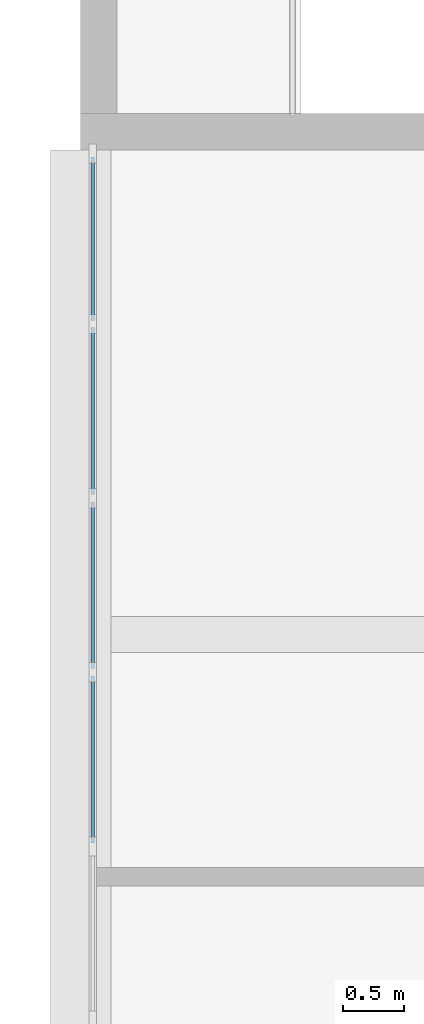
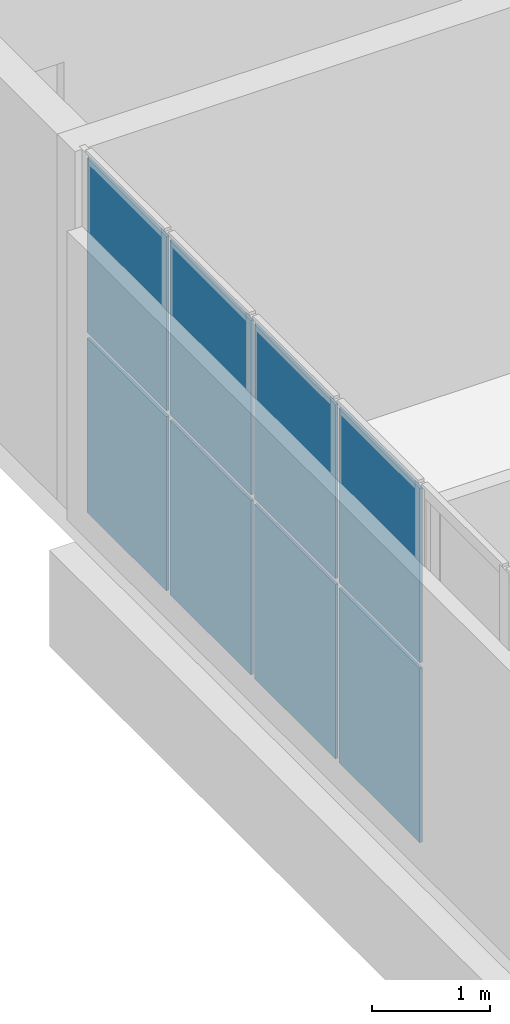
# One storey, part 136 of 156: 8 plates, 1 element without a shape of its own.
"""IFC4 building model written with IfcOpenShell, lengths in metres."""

from ifc_helpers import new_model, si_unit, direction, frame, origin, origin_2d, place, context, subcontext, project, spatial, rectangle, extrude, material, layer, layer_set, type_object, element, aggregate, save


model = new_model("IFC4")

# Units and contexts
model_context = context("Model", 3, precision=1e-05, world=origin(), true_north=direction((0.0, 1.0)))
body_context = subcontext(model_context, "Body", "Model", "MODEL_VIEW")
ifc_project = project(units=[si_unit("LENGTHUNIT", "METRE"), si_unit("AREAUNIT", "SQUARE_METRE"), si_unit("VOLUMEUNIT", "CUBIC_METRE"), si_unit("PLANEANGLEUNIT", "RADIAN"), si_unit("MASSUNIT", "GRAM", prefix="KILO")], contexts=[model_context])

# Site, building, storey
site_placement = place(None, origin())
site = spatial("IfcSite", under=ifc_project, at=site_placement, CompositionType="ELEMENT")
building_placement = place(site_placement, origin())
building = spatial("IfcBuilding", under=site, at=building_placement, Name="Lilac Gate Convention Centre", CompositionType="ELEMENT")
storey_placement = place(building_placement, frame((0.0, 0.0, 17.0)))
storey = spatial("IfcBuildingStorey", under=building, at=storey_placement, Name="L03", CompositionType="ELEMENT", Elevation=17.0)

# Curtain wall, plates
ifc_material_1 = material(Name="Aluminium framed double glazing", Category="aluminium")
ifc_layer_1 = layer(ifc_material_1, 0.199951171875)
ifc_layer_set_1 = layer_set([ifc_layer_1], Name="Aluminium framed double glazing")
curtain_wall_type = type_object("IfcCurtainWallType", Name="Unitised curtain wall 1500", PredefinedType="NOTDEFINED", material=ifc_layer_set_1)
curtain_wall_placement = place(storey_placement, origin())
curtain_wall = element("IfcCurtainWall", 1, at=curtain_wall_placement, inside=storey, type_object=curtain_wall_type, Name="Curtain wall PW L03 5", PredefinedType="NOTDEFINED")
ifc_material_2 = material(Name="Double glazed unit low emissivity")
ifc_layer_2 = layer(ifc_material_2, 0.028076171875)
ifc_layer_set_2 = layer_set([ifc_layer_2], Name="Double glazed unit low emissivity")
plate_type_1 = type_object("IfcPlateType", Name="Curtain wall glass panel 28", PredefinedType="CURTAIN_PANEL", material=ifc_layer_set_2)
plate_1_placement = place(storey_placement, frame((6.10009765625, 149.266357421875, 1.929931640625), z_axis=(0.0, 0.0, 1.0), x_axis=(0.0, -1.0, 0.0)))
plate_1 = element("IfcPlate", 2, at=plate_1_placement, type_object=plate_type_1, Name="CW panel 1.2", PredefinedType="CURTAIN_PANEL", context=body_context, shape_type="SweptSolid", body=[
    extrude(rectangle(XDim=1.347412109375, YDim=0.028076171875, at=origin_2d()), origin(), (0.0, 0.0, 1.0), 1.81005859375),
])
plate_2_placement = place(storey_placement, frame((6.10009765625, 147.84375, 1.929931640625), z_axis=(0.0, 0.0, 1.0), x_axis=(0.0, -1.0, 0.0)))
plate_2 = element("IfcPlate", 3, at=plate_2_placement, type_object=plate_type_1, Name="CW panel 2.2", PredefinedType="CURTAIN_PANEL", context=body_context, shape_type="SweptSolid", body=[
    extrude(rectangle(XDim=1.37744140625, YDim=0.028076171875, at=origin_2d()), origin(), (0.0, 0.0, 1.0), 1.81005859375),
])
plate_3_placement = place(storey_placement, frame((6.10009765625, 146.40625, 1.929931640625), z_axis=(0.0, 0.0, 1.0), x_axis=(0.0, -1.0, 0.0)))
plate_3 = element("IfcPlate", 4, at=plate_3_placement, type_object=plate_type_1, Name="CW panel 3.2", PredefinedType="CURTAIN_PANEL", context=body_context, shape_type="SweptSolid", body=[
    extrude(rectangle(XDim=1.37744140625, YDim=0.028076171875, at=origin_2d()), origin(), (0.0, 0.0, 1.0), 1.81005859375),
])
plate_4_placement = place(storey_placement, frame((6.10009765625, 144.96875, 1.929931640625), z_axis=(0.0, 0.0, 1.0), x_axis=(0.0, -1.0, 0.0)))
plate_4 = element("IfcPlate", 5, at=plate_4_placement, type_object=plate_type_1, Name="CW panel 4.2", PredefinedType="CURTAIN_PANEL", context=body_context, shape_type="SweptSolid", body=[
    extrude(rectangle(XDim=1.37744140625, YDim=0.028076171875, at=origin_2d()), origin(), (0.0, 0.0, 1.0), 1.81005859375),
])
ifc_material_3 = material(Name="Insulated aluminium spandrel panel", Category="aluminium")
ifc_layer_3 = layer(ifc_material_3, 0.028076171875)
ifc_layer_set_3 = layer_set([ifc_layer_3], Name="Insulated aluminium spandrel panel")
plate_type_2 = type_object("IfcPlateType", Name="Curtain wall spandrel panel 28", PredefinedType="CURTAIN_PANEL", material=ifc_layer_set_3)
plate_5_placement = place(storey_placement, frame((6.10009765625, 149.266357421875, 0.06005859375), z_axis=(0.0, 0.0, 1.0), x_axis=(0.0, -1.0, 0.0)))
plate_5 = element("IfcPlate", 6, at=plate_5_placement, type_object=plate_type_2, Name="CW spandrel 1.1", PredefinedType="CURTAIN_PANEL", context=body_context, shape_type="SweptSolid", body=[
    extrude(rectangle(XDim=1.347412109375, YDim=0.028076171875, at=origin_2d()), origin(), (0.0, 0.0, 1.0), 1.81005859375),
])
plate_6_placement = place(storey_placement, frame((6.10009765625, 147.84375, 0.06005859375), z_axis=(0.0, 0.0, 1.0), x_axis=(0.0, -1.0, 0.0)))
plate_6 = element("IfcPlate", 7, at=plate_6_placement, type_object=plate_type_2, Name="CW spandrel 2.1", PredefinedType="CURTAIN_PANEL", context=body_context, shape_type="SweptSolid", body=[
    extrude(rectangle(XDim=1.37744140625, YDim=0.028076171875, at=origin_2d()), origin(), (0.0, 0.0, 1.0), 1.81005859375),
])
plate_7_placement = place(storey_placement, frame((6.10009765625, 146.40625, 0.06005859375), z_axis=(0.0, 0.0, 1.0), x_axis=(0.0, -1.0, 0.0)))
plate_7 = element("IfcPlate", 8, at=plate_7_placement, type_object=plate_type_2, Name="CW spandrel 3.1", PredefinedType="CURTAIN_PANEL", context=body_context, shape_type="SweptSolid", body=[
    extrude(rectangle(XDim=1.37744140625, YDim=0.028076171875, at=origin_2d()), origin(), (0.0, 0.0, 1.0), 1.81005859375),
])
plate_8_placement = place(storey_placement, frame((6.10009765625, 144.96875, 0.06005859375), z_axis=(0.0, 0.0, 1.0), x_axis=(0.0, -1.0, 0.0)))
plate_8 = element("IfcPlate", 9, at=plate_8_placement, type_object=plate_type_2, Name="CW spandrel 4.1", PredefinedType="CURTAIN_PANEL", context=body_context, shape_type="SweptSolid", body=[
    extrude(rectangle(XDim=1.37744140625, YDim=0.028076171875, at=origin_2d()), origin(), (0.0, 0.0, 1.0), 1.81005859375),
])
aggregate(curtain_wall, [plate_5, plate_1, plate_6, plate_2, plate_7, plate_3, plate_8, plate_4])

save(model, "model.ifc")
